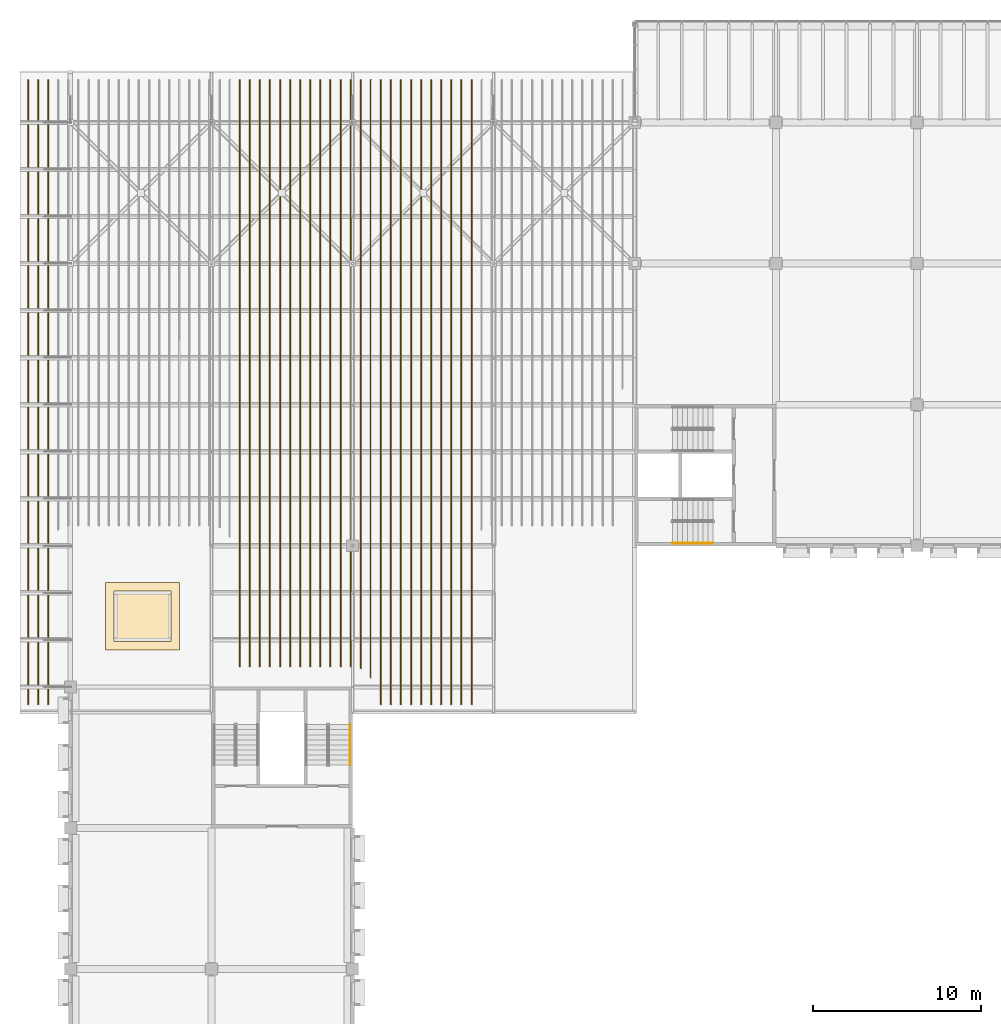
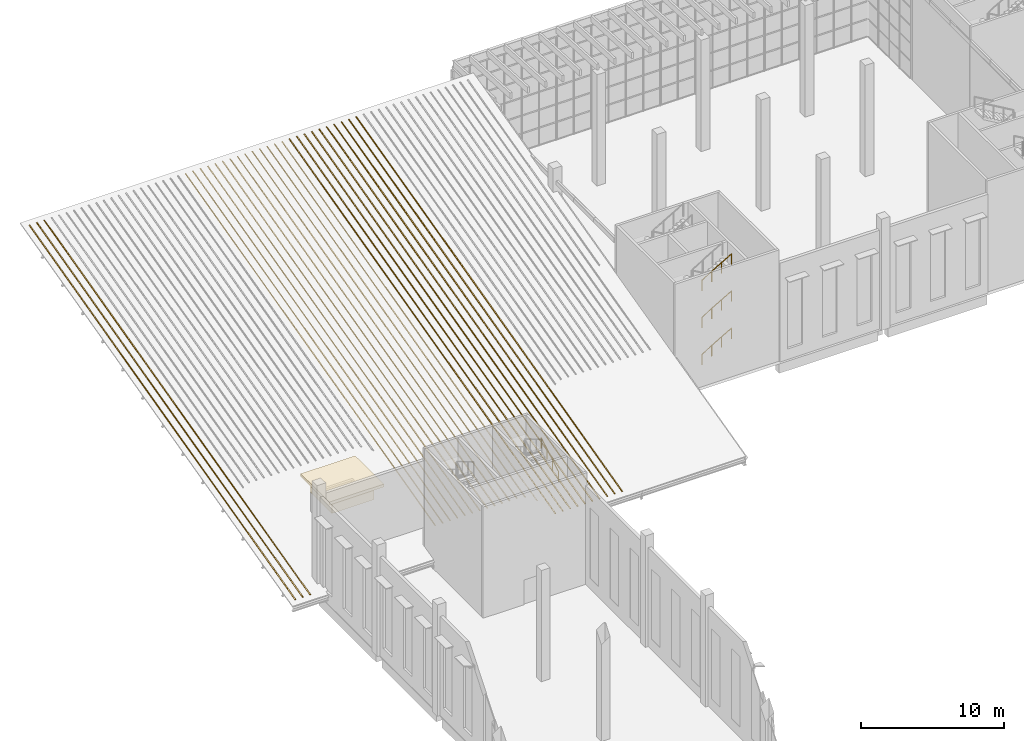
# One storey, part 96 of 114: 29 coverings, 4 railings.
"""IFC4 building model written with IfcOpenShell, lengths in metres."""

from ifc_helpers import new_model, si_unit, direction, frame, origin, origin_2d, place, context, subcontext, project, spatial, polyline, rectangle, circle, outline, extrude, material, layer, layer_set, type_object, element, save


model = new_model("IFC4")

# Units and contexts
model_context = context("Model", 3, precision=1e-05, world=origin(), true_north=direction((0.0, 1.0)))
body_context = subcontext(model_context, "Body", "Model", "MODEL_VIEW")
ifc_project = project(units=[si_unit("LENGTHUNIT", "METRE"), si_unit("AREAUNIT", "SQUARE_METRE"), si_unit("VOLUMEUNIT", "CUBIC_METRE"), si_unit("PLANEANGLEUNIT", "RADIAN"), si_unit("MASSUNIT", "GRAM", prefix="KILO")], contexts=[model_context])

# Site, building, storey
site_placement = place(None, origin())
site = spatial("IfcSite", under=ifc_project, at=site_placement, CompositionType="ELEMENT")
building_placement = place(site_placement, origin())
building = spatial("IfcBuilding", under=site, at=building_placement, Name="Almond Square Museum", CompositionType="ELEMENT")
storey_placement = place(building_placement, frame((0.0, 0.0, 10.5)))
storey = spatial("IfcBuildingStorey", under=building, at=storey_placement, Name="L02", CompositionType="ELEMENT", Elevation=10.5)

# Coverings
ifc_material_1 = material(Name="Timber deck and copper sheet", Category="wood")
ifc_layer_1 = layer(ifc_material_1, 0.25)
ifc_layer_set_1 = layer_set([ifc_layer_1], Name="Timber deck and copper sheet")
covering_type_1 = type_object("IfcCoveringType", Name="Head house cap, copper", PredefinedType="CLADDING", material=ifc_layer_set_1)
covering_1_placement = place(storey_placement, frame((10.300048828125, 79.800048828125, 5.4423828125), z_axis=(0.0, 0.0, 1.0), x_axis=(1.0, 0.0, 0.0)))
element("IfcCovering", 1, at=covering_1_placement, inside=storey, type_object=covering_type_1, Name="Head house roof cap U1", PredefinedType="CLADDING", context=body_context, shape_type="SweptSolid", body=[
    extrude(rectangle(XDim=4.39990234375, YDim=4.0, at=origin_2d()), origin(), (0.0, 0.0, 1.0), 0.25),
])
ifc_material_2 = material(Name="Zinc standing seam cladding")
ifc_layer_2 = layer(ifc_material_2, 1.199951171875)
ifc_layer_set_2 = layer_set([ifc_layer_2], Name="Zinc standing seam cladding")
covering_type_2 = type_object("IfcCoveringType", Name="Lift overrun cladding 1200", PredefinedType="CLADDING", material=ifc_layer_set_2)
covering_2_placement = place(storey_placement, frame((10.300048828125, 79.800048828125, 4.24267578125), z_axis=(0.0, 0.0, 1.0), x_axis=(1.0, 0.0, 0.0)))
element("IfcCovering", 2, at=covering_2_placement, inside=storey, type_object=covering_type_2, Name="Lift overrun cladding U1", PredefinedType="CLADDING", context=body_context, shape_type="SweptSolid", body=[
    extrude(rectangle(XDim=3.39990234375, YDim=3.0, at=origin_2d()), origin(), (0.0, 0.0, 1.0), 1.199951171875),
])
ifc_material_3 = material(Name="Zinc standing seam")
ifc_layer_3 = layer(ifc_material_3, 0.0400390625)
ifc_layer_set_3 = layer_set([ifc_layer_3], Name="Zinc standing seam")
covering_type_3 = type_object("IfcCoveringType", Name="Roof standing seam rib 60 x 40", PredefinedType="CLADDING", material=ifc_layer_set_3)
for number, where, z_axis, x_axis, name in (
    (3, (3.510009765625, 111.75, 10.34521484375), (0.0, -0.245254822391, 0.969458648986), (-1.0, 0.0, 0.0), "Roof standing seam rib"),
    (4, (4.110107421875, 111.75, 10.34521484375), (0.0, -0.245254822391, 0.969458648986), (-1.0, 0.0, 0.0), "Roof standing seam rib"),
    (5, (4.7099609375, 111.75, 10.34521484375), (0.0, -0.245254822391, 0.969458648986), (-1.0, 0.0, 0.0), "Roof standing seam rib"),
):
    element("IfcCovering", number, at=place(storey_placement, frame(where, z_axis=z_axis, x_axis=x_axis)), inside=storey, type_object=covering_type_3, Name=name, PredefinedType="CLADDING", context=body_context, shape_type="SweptSolid", body=[
        extrude(outline(polyline([(0.0, 0.0), (0.06005859375, 0.0), (0.06005859375, 38.3718802351971), (0.0, 38.3718802351971), (0.0, 0.0)])), origin(), (0.0, 0.0, 1.0), 0.0400390625),
    ])
for number, where, z_axis, x_axis, name in (
    (6, (16.110107421875, 111.75, 10.34521484375), (0.0, -0.245251479839, 0.969459494583), (-1.0, 0.0, 0.0), "Roof standing seam rib"),
    (7, (16.7099609375, 111.75, 10.34521484375), (0.0, -0.245251479839, 0.969459494583), (-1.0, 0.0, 0.0), "Roof standing seam rib"),
    (8, (17.31005859375, 111.75, 10.34521484375), (0.0, -0.245251479839, 0.969459494583), (-1.0, 0.0, 0.0), "Roof standing seam rib"),
):
    element("IfcCovering", number, at=place(storey_placement, frame(where, z_axis=z_axis, x_axis=x_axis)), inside=storey, type_object=covering_type_3, Name=name, PredefinedType="CLADDING", context=body_context, shape_type="SweptSolid", body=[
        extrude(outline(polyline([(0.0, 0.0), (0.06005859375, 0.0), (0.06005859375, 36.05096589096026), (0.0, 36.05096589096026), (0.0, 0.0)])), origin(), (0.0, 0.0, 1.0), 0.0400390625),
    ])
covering_3_placement = place(storey_placement, frame((17.909912109375, 111.75, 10.34521484375), z_axis=(0.0, -0.245251479839, 0.969459494583), x_axis=(-1.0, 0.0, 0.0)))
element("IfcCovering", 9, at=covering_3_placement, inside=storey, type_object=covering_type_3, Name="Roof standing seam rib", PredefinedType="CLADDING", context=body_context, shape_type="SweptSolid", body=[
    extrude(outline(polyline([(0.0, 0.0), (0.059814453125, 0.0), (0.059814453125, 36.05096589096027), (0.0, 36.05096589096027), (0.0, 0.0)])), origin(), (0.0, 0.0, 1.0), 0.0400390625),
])
for number, where, z_axis, x_axis, name in (
    (10, (18.510009765625, 111.75, 10.34521484375), (0.0, -0.245251479839, 0.969459494583), (-1.0, 0.0, 0.0), "Roof standing seam rib"),
    (11, (19.110107421875, 111.75, 10.34521484375), (0.0, -0.245251479839, 0.969459494583), (-1.0, 0.0, 0.0), "Roof standing seam rib"),
    (12, (19.7099609375, 111.75, 10.34521484375), (0.0, -0.245251479839, 0.969459494583), (-1.0, 0.0, 0.0), "Roof standing seam rib"),
    (13, (20.31005859375, 111.75, 10.34521484375), (0.0, -0.245251479839, 0.969459494583), (-1.0, 0.0, 0.0), "Roof standing seam rib"),
):
    element("IfcCovering", number, at=place(storey_placement, frame(where, z_axis=z_axis, x_axis=x_axis)), inside=storey, type_object=covering_type_3, Name=name, PredefinedType="CLADDING", context=body_context, shape_type="SweptSolid", body=[
        extrude(outline(polyline([(0.0, 0.0), (0.06005859375, 0.0), (0.06005859375, 36.05096589096026), (0.0, 36.05096589096026), (0.0, 0.0)])), origin(), (0.0, 0.0, 1.0), 0.0400390625),
    ])
covering_4_placement = place(storey_placement, frame((20.909912109375, 111.75, 10.34521484375), z_axis=(0.0, -0.245251479839, 0.969459494583), x_axis=(-1.0, 0.0, 0.0)))
element("IfcCovering", 14, at=covering_4_placement, inside=storey, type_object=covering_type_3, Name="Roof standing seam rib", PredefinedType="CLADDING", context=body_context, shape_type="SweptSolid", body=[
    extrude(outline(polyline([(0.0, 0.0), (0.059814453125, 0.0), (0.059814453125, 36.05096589096027), (0.0, 36.05096589096027), (0.0, 0.0)])), origin(), (0.0, 0.0, 1.0), 0.0400390625),
])
for number, where, z_axis, x_axis, name in (
    (15, (21.510009765625, 111.75, 10.34521484375), (0.0, -0.245251479839, 0.969459494583), (-1.0, 0.0, 0.0), "Roof standing seam rib"),
    (16, (22.110107421875, 111.75, 10.34521484375), (0.0, -0.245251479839, 0.969459494583), (-1.0, 0.0, 0.0), "Roof standing seam rib"),
    (17, (22.7099609375, 111.75, 10.34521484375), (0.0, -0.245251479839, 0.969459494583), (-1.0, 0.0, 0.0), "Roof standing seam rib"),
):
    element("IfcCovering", number, at=place(storey_placement, frame(where, z_axis=z_axis, x_axis=x_axis)), inside=storey, type_object=covering_type_3, Name=name, PredefinedType="CLADDING", context=body_context, shape_type="SweptSolid", body=[
        extrude(outline(polyline([(0.0, 0.0), (0.06005859375, 0.0), (0.06005859375, 36.05096589096026), (0.0, 36.05096589096026), (0.0, 0.0)])), origin(), (0.0, 0.0, 1.0), 0.0400390625),
    ])
covering_5_placement = place(storey_placement, frame((23.25, 76.7119140625, 1.481201171875), z_axis=(-0.000657894336, -0.245254652986, 0.969458468612), x_axis=(0.905269243105, -0.412008857541, -0.103616112632)))
element("IfcCovering", 18, at=covering_5_placement, inside=storey, type_object=covering_type_3, Name="Roof standing seam rib", PredefinedType="CLADDING", context=body_context, shape_type="SweptSolid", body=[
    extrude(outline(polyline([(0.0, 0.0), (0.06634337817430849, -7.37257477290143e-18), (-15.300087198807327, 32.743688602269565), (-15.354456396513317, 32.71817344083915), (0.0, 0.0)])), origin(), (0.0, 0.0, 1.0), 0.0400390625),
])
covering_6_placement = place(storey_placement, frame((23.909912109375, 111.75, 10.34521484375), z_axis=(0.000963128331, -0.245252457293, 0.969458768889), x_axis=(-0.999999536192, -0.000236209699, 0.000933713639)))
element("IfcCovering", 19, at=covering_6_placement, inside=storey, type_object=covering_type_3, Name="Roof standing seam rib", PredefinedType="CLADDING", context=body_context, shape_type="SweptSolid", body=[
    extrude(outline(polyline([(0.0, 0.0), (0.05981442538256626, 0.0), (0.059814480867446604, 36.69111792626193), (-5.548488034128052e-08, 36.81907761002142), (0.0, 0.0)])), origin(), (0.0, 0.0, 1.0), 0.0400390625),
])
for number, where, z_axis, x_axis, name in (
    (20, (24.510009765625, 111.75, 10.34521484375), (0.0, -0.245254822391, 0.969458648986), (-1.0, 0.0, 0.0), "Roof standing seam rib"),
    (21, (25.110107421875, 111.75, 10.34521484375), (0.0, -0.245254822391, 0.969458648986), (-1.0, 0.0, 0.0), "Roof standing seam rib"),
    (22, (25.7099609375, 111.75, 10.34521484375), (0.0, -0.245254822391, 0.969458648986), (-1.0, 0.0, 0.0), "Roof standing seam rib"),
    (23, (26.31005859375, 111.75, 10.34521484375), (0.0, -0.245254822391, 0.969458648986), (-1.0, 0.0, 0.0), "Roof standing seam rib"),
):
    element("IfcCovering", number, at=place(storey_placement, frame(where, z_axis=z_axis, x_axis=x_axis)), inside=storey, type_object=covering_type_3, Name=name, PredefinedType="CLADDING", context=body_context, shape_type="SweptSolid", body=[
        extrude(outline(polyline([(0.0, 0.0), (0.06005859375, 0.0), (0.06005859375, 38.3718802351971), (0.0, 38.3718802351971), (0.0, 0.0)])), origin(), (0.0, 0.0, 1.0), 0.0400390625),
    ])
covering_7_placement = place(storey_placement, frame((26.909912109375, 111.75, 10.34521484375), z_axis=(0.0, -0.245254822391, 0.969458648986), x_axis=(-1.0, 0.0, 0.0)))
element("IfcCovering", 24, at=covering_7_placement, inside=storey, type_object=covering_type_3, Name="Roof standing seam rib", PredefinedType="CLADDING", context=body_context, shape_type="SweptSolid", body=[
    extrude(outline(polyline([(0.0, 0.0), (0.059814453125, 0.0), (0.059814453125, 38.3718802351971), (0.0, 38.3718802351971), (0.0, 0.0)])), origin(), (0.0, 0.0, 1.0), 0.0400390625),
])
for number, where, z_axis, x_axis, name in (
    (25, (27.510009765625, 111.75, 10.34521484375), (0.0, -0.245254822391, 0.969458648986), (-1.0, 0.0, 0.0), "Roof standing seam rib"),
    (26, (28.110107421875, 111.75, 10.34521484375), (0.0, -0.245254822391, 0.969458648986), (-1.0, 0.0, 0.0), "Roof standing seam rib"),
    (27, (28.7099609375, 111.75, 10.34521484375), (0.0, -0.245254822391, 0.969458648986), (-1.0, 0.0, 0.0), "Roof standing seam rib"),
    (28, (29.31005859375, 111.75, 10.34521484375), (0.0, -0.245254822391, 0.969458648986), (-1.0, 0.0, 0.0), "Roof standing seam rib"),
):
    element("IfcCovering", number, at=place(storey_placement, frame(where, z_axis=z_axis, x_axis=x_axis)), inside=storey, type_object=covering_type_3, Name=name, PredefinedType="CLADDING", context=body_context, shape_type="SweptSolid", body=[
        extrude(outline(polyline([(0.0, 0.0), (0.06005859375, 0.0), (0.06005859375, 38.3718802351971), (0.0, 38.3718802351971), (0.0, 0.0)])), origin(), (0.0, 0.0, 1.0), 0.0400390625),
    ])
covering_8_placement = place(storey_placement, frame((29.909912109375, 111.75, 10.34521484375), z_axis=(0.0, -0.245254822391, 0.969458648986), x_axis=(-1.0, 0.0, 0.0)))
element("IfcCovering", 29, at=covering_8_placement, inside=storey, type_object=covering_type_3, Name="Roof standing seam rib", PredefinedType="CLADDING", context=body_context, shape_type="SweptSolid", body=[
    extrude(outline(polyline([(0.0, 0.0), (0.059814453125, 0.0), (0.059814453125, 38.3718802351971), (0.0, 38.3718802351971), (0.0, 0.0)])), origin(), (0.0, 0.0, 1.0), 0.0400390625),
])

# Railings
ifc_material_4 = material(Name="Stainless steel", Category="steel")
railing_type = type_object("IfcRailingType", Name="Stair handrail 900 steel", PredefinedType="HANDRAIL", material=ifc_material_4)
railing_1_placement = place(storey_placement, frame((41.85009765625, 84.155029296875, 1.75927734375)))
element("IfcRailing", 30, at=railing_1_placement, inside=storey, type_object=railing_type, Name="L02 ST-17 stair handrail 2", PredefinedType="HANDRAIL", context=body_context, shape_type="SweptSolid", body=[
    extrude(circle(Radius=0.02392578125, at=origin_2d()), frame((0.0, 0.0, 0.8759765625), z_axis=(0.86259894172, 0.0, 0.505888392576), x_axis=(0.0, 1.0, 0.0)), (0.0, 0.0, 1.0), 2.7822265625),
    extrude(circle(Radius=0.02099609375, at=origin_2d()), origin(), (0.0, 0.0, 1.0), 0.851806640625),
    extrude(circle(Radius=0.02099609375, at=origin_2d()), frame((0.800048828125, 0.0, 0.46923828125)), (0.0, 0.0, 1.0), 0.851806640625),
    extrude(circle(Radius=0.02099609375, at=origin_2d()), frame((1.599853515625, 0.0, 0.938232421875)), (0.0, 0.0, 1.0), 0.851806640625),
    extrude(circle(Radius=0.02099609375, at=origin_2d()), frame((2.39990234375, 0.0, 1.407470703125)), (0.0, 0.0, 1.0), 0.851806640625),
])
railing_2_placement = place(storey_placement, frame((41.85009765625, 84.155029296875, 4.926025390625)))
element("IfcRailing", 31, at=railing_2_placement, inside=storey, type_object=railing_type, Name="L02 ST-17 stair handrail 4", PredefinedType="HANDRAIL", context=body_context, shape_type="SweptSolid", body=[
    extrude(circle(Radius=0.02392578125, at=origin_2d()), frame((0.0, 0.0, 0.8759765625), z_axis=(0.862637233918, 0.0, 0.505823094232), x_axis=(0.0, 1.0, 0.0)), (0.0, 0.0, 1.0), 2.781982421875),
    extrude(circle(Radius=0.02099609375, at=origin_2d()), origin(), (0.0, 0.0, 1.0), 0.851806640625),
    extrude(circle(Radius=0.02099609375, at=origin_2d()), frame((0.800048828125, 0.0, 0.468994140625)), (0.0, 0.0, 1.0), 0.851806640625),
    extrude(circle(Radius=0.02099609375, at=origin_2d()), frame((1.599853515625, 0.0, 0.938232421875)), (0.0, 0.0, 1.0), 0.851806640625),
    extrude(circle(Radius=0.02099609375, at=origin_2d()), frame((2.39990234375, 0.0, 1.4072265625)), (0.0, 0.0, 1.0), 0.851806640625),
])
railing_3_placement = place(storey_placement, frame((41.85009765625, 84.155029296875, 8.092529296875)))
element("IfcRailing", 32, at=railing_3_placement, inside=storey, type_object=railing_type, Name="L02 ST-17 stair handrail 6", PredefinedType="HANDRAIL", context=body_context, shape_type="SweptSolid", body=[
    extrude(circle(Radius=0.02392578125, at=origin_2d()), frame((0.0, 0.0, 0.8759765625), z_axis=(0.86259894172, 0.0, 0.505888392576), x_axis=(0.0, 1.0, 0.0)), (0.0, 0.0, 1.0), 2.7822265625),
    extrude(circle(Radius=0.02099609375, at=origin_2d()), origin(), (0.0, 0.0, 1.0), 0.851806640625),
    extrude(circle(Radius=0.02099609375, at=origin_2d()), frame((0.800048828125, 0.0, 0.46923828125)), (0.0, 0.0, 1.0), 0.851806640625),
    extrude(circle(Radius=0.02099609375, at=origin_2d()), frame((1.599853515625, 0.0, 0.938232421875)), (0.0, 0.0, 1.0), 0.851806640625),
    extrude(circle(Radius=0.02099609375, at=origin_2d()), frame((2.39990234375, 0.0, 1.407470703125)), (0.0, 0.0, 1.0), 0.851806640625),
])
railing_4_placement = place(storey_placement, frame((22.64501953125, 70.949951171875, 6.50927734375)))
element("IfcRailing", 33, at=railing_4_placement, inside=storey, type_object=railing_type, Name="L02 ST-24 stair handrail 5", PredefinedType="HANDRAIL", context=body_context, shape_type="SweptSolid", body=[
    extrude(circle(Radius=0.02392578125, at=origin_2d()), frame((0.0, 0.0, 0.8759765625), z_axis=(0.0, 0.862621396848, 0.505850102007), x_axis=(-1.0, 0.0, 0.0)), (0.0, 0.0, 1.0), 2.782470703125),
    extrude(circle(Radius=0.02099609375, at=origin_2d()), origin(), (0.0, 0.0, 1.0), 0.851806640625),
    extrude(circle(Radius=0.02099609375, at=origin_2d()), frame((0.0, 0.800048828125, 0.46923828125)), (0.0, 0.0, 1.0), 0.851806640625),
    extrude(circle(Radius=0.02099609375, at=origin_2d()), frame((0.0, 1.60009765625, 0.938232421875)), (0.0, 0.0, 1.0), 0.851806640625),
    extrude(circle(Radius=0.02099609375, at=origin_2d()), frame((0.0, 2.400146484375, 1.407470703125)), (0.0, 0.0, 1.0), 0.851806640625),
])

save(model, "model.ifc")
